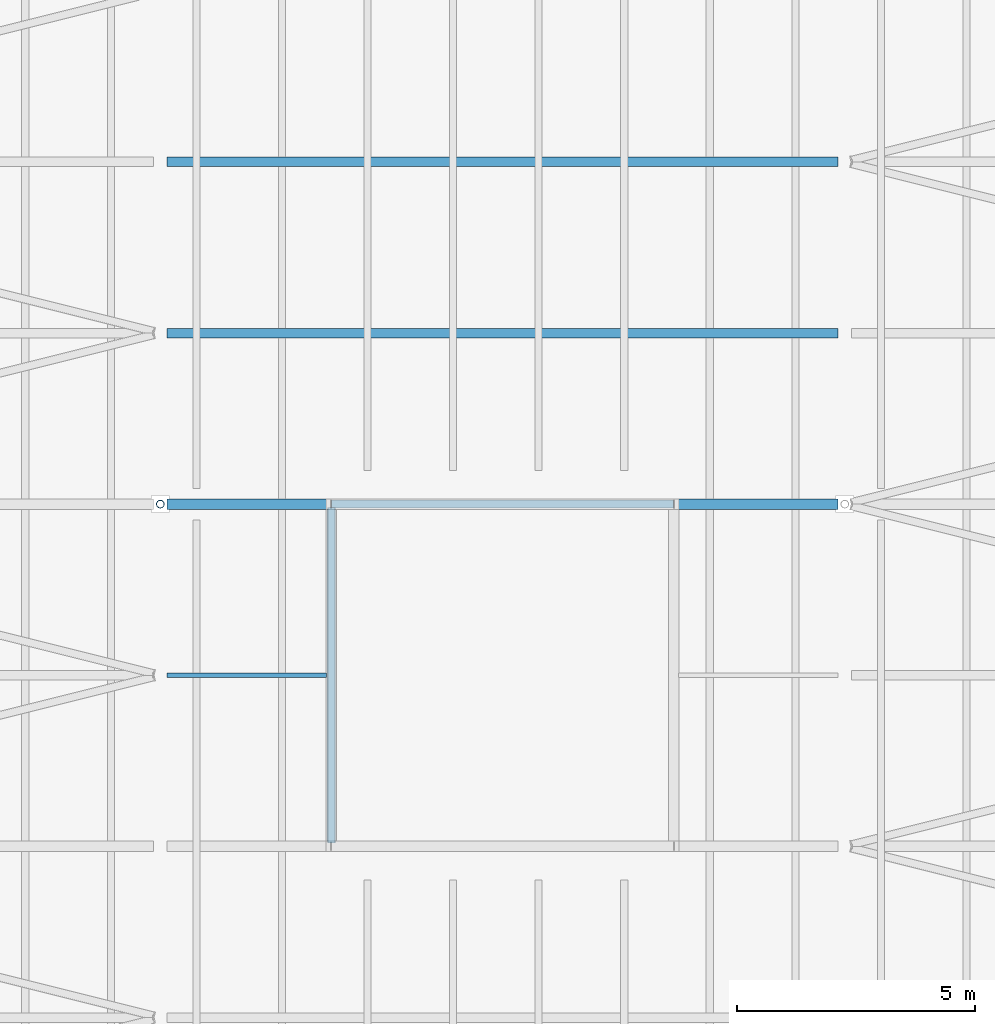
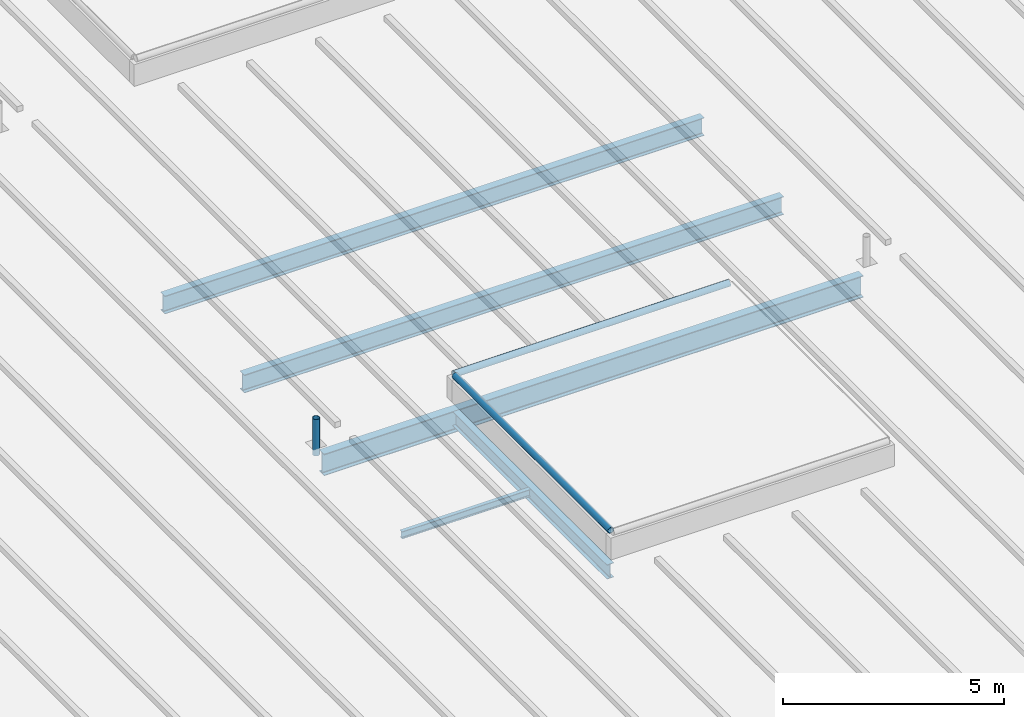
# One storey, part 18 of 120: 5 beams, 3 members.
"""IFC4 building model written with IfcOpenShell, lengths in metres."""

import ifcopenshell
import ifcopenshell.guid

model = None  # the IFC model being written
_history = None  # IfcOwnerHistory: only IFC2X3 demands one
_inside = {}  # id of a spatial element -> (the spatial element, [elements in it])
_under = {}  # id of a project, library or spatial element -> (it, [spatial elements below it])
_declared = {}  # id of a project -> (the project, [libraries it declares])
_typed = {}  # id of a type object -> (the type object, [elements of that type])
_made_of = {}  # id of a material, layer set ... -> (it, [elements and type objects made of it])


def new_model(schema):
    """Start an empty IFC model of exactly this schema.

    Asked for "IFC4X3", IfcOpenShell would pick the latest addendum, in which some entities
    have other attributes; the version numbers below select the first issue.
    IFC2X3 requires an IfcOwnerHistory on every rooted entity: one is made here for all.
    """
    global model, _history
    if schema == "IFC4X3":
        model = ifcopenshell.file(schema_version=(4, 3, 0, 0))
    else:
        model = ifcopenshell.file(schema=schema)
    _inside.clear()
    _under.clear()
    _declared.clear()
    _typed.clear()
    _made_of.clear()
    _history = None
    if model.schema == "IFC2X3":
        org = make("IfcOrganization", Name="unknown")
        user = make(
            "IfcPersonAndOrganization",
            ThePerson=make("IfcPerson", FamilyName="unknown"),
            TheOrganization=org,
        )
        app = make(
            "IfcApplication",
            ApplicationDeveloper=org,
            Version="unknown",
            ApplicationFullName="unknown",
            ApplicationIdentifier="unknown",
        )
        _history = make(
            "IfcOwnerHistory",
            OwningUser=user,
            OwningApplication=app,
            ChangeAction="ADDED",
            CreationDate=0,
        )
    return model


def make(cls, **values):
    """One entity of the class cls with the attributes given. An attribute that is None is left unset."""
    return model.create_entity(
        cls, **{name: value for name, value in values.items() if value is not None}
    )


def rooted(cls, **values):
    """An entity with a GlobalId (a new one), such as an element, a storey or a relation."""
    return make(cls, GlobalId=ifcopenshell.guid.new(), OwnerHistory=_history, **values)


def si_unit(unit_type, name, prefix=None):
    """IfcSIUnit, for example si_unit("LENGTHUNIT", "METRE", prefix="MILLI")."""
    return make("IfcSIUnit", UnitType=unit_type, Prefix=prefix, Name=name)


def assignment(units):
    """IfcUnitAssignment: the units of a project."""
    return None if units is None else make("IfcUnitAssignment", Units=units)


def point(xyz):
    """IfcCartesianPoint."""
    return None if xyz is None else make("IfcCartesianPoint", Coordinates=xyz)


def direction(xyz):
    """IfcDirection."""
    return None if xyz is None else make("IfcDirection", DirectionRatios=xyz)


def frame(location, z_axis=None, x_axis=None):
    """IfcAxis2Placement3D, a coordinate frame: its origin and axes. An axis left out is left unset."""
    return make(
        "IfcAxis2Placement3D",
        Location=point(location),
        Axis=direction(z_axis),
        RefDirection=direction(x_axis),
    )


def frame_2d(location, x_axis=None):
    """IfcAxis2Placement2D, a coordinate frame in the plane: its origin and x axis."""
    return make(
        "IfcAxis2Placement2D", Location=point(location), RefDirection=direction(x_axis)
    )


def origin():
    """The frame at (0, 0, 0) with its axes left unset."""
    return frame((0.0, 0.0, 0.0))


def origin_2d():
    """The frame at (0, 0) in the plane with its x axis left unset."""
    return frame_2d((0.0, 0.0))


def place(relative_to, where):
    """IfcLocalPlacement: puts the frame where relative to a parent placement (None: the world)."""
    return make(
        "IfcLocalPlacement", PlacementRelTo=relative_to, RelativePlacement=where
    )


def context(
    kind, dimensions, precision=None, world=None, true_north=None, identifier=None
):
    """IfcGeometricRepresentationContext, for example the 3D "Model" context."""
    return make(
        "IfcGeometricRepresentationContext",
        ContextIdentifier=identifier,
        ContextType=kind,
        CoordinateSpaceDimension=dimensions,
        Precision=precision,
        WorldCoordinateSystem=world,
        TrueNorth=true_north,
    )


def subcontext(parent, identifier, kind, view, scale=None):
    """IfcGeometricRepresentationSubContext, for example "Body" below "Model"."""
    return make(
        "IfcGeometricRepresentationSubContext",
        ContextIdentifier=identifier,
        ContextType=kind,
        ParentContext=parent,
        TargetScale=scale,
        TargetView=view,
    )


def project(units=None, contexts=None):
    """IfcProject with its units and contexts."""
    return rooted(
        "IfcProject",
        Name="project",
        RepresentationContexts=contexts,
        UnitsInContext=assignment(units),
    )


def spatial(cls, under=None, at=None, **own):
    """A site, building, storey or space (cls), placed at a placement, below another one or the project."""
    s = rooted(cls, ObjectPlacement=at, **own)
    if under is not None:
        _under.setdefault(under.id(), (under, []))[1].append(s)
    return s


def profile(cls, at=None, kind="AREA", **sizes):
    """A parametric profile (cls). Its sizes go by their IFC names, for example OverallWidth=200.0."""
    return make(cls, ProfileType=kind, Position=at, **sizes)


def hollow_circle(**sizes):
    """IfcCircleHollowProfileDef."""
    return profile("IfcCircleHollowProfileDef", **sizes)


def i_section(**sizes):
    """IfcIShapeProfileDef."""
    return profile("IfcIShapeProfileDef", **sizes)


def extrude(swept, where, along, depth):
    """IfcExtrudedAreaSolid: the profile swept, set in the frame where, extruded along a direction by depth."""
    return make(
        "IfcExtrudedAreaSolid",
        SweptArea=swept,
        Position=where,
        ExtrudedDirection=direction(along),
        Depth=depth,
    )


def shape(context_of_items, identifier, shape_type, items):
    """IfcShapeRepresentation: the items that make up one representation, for example the "Body"."""
    return make(
        "IfcShapeRepresentation",
        ContextOfItems=context_of_items,
        RepresentationIdentifier=identifier,
        RepresentationType=shape_type,
        Items=items,
    )


def material(Name=None, Category=None):
    """IfcMaterial."""
    return make("IfcMaterial", Name=Name, Category=Category)


def material_profile(
    of_material, cross_section, Name=None, Category=None, Priority=None
):
    """IfcMaterialProfile: a cross section and its material."""
    return make(
        "IfcMaterialProfile",
        Name=Name,
        Material=of_material,
        Profile=cross_section,
        Priority=Priority,
        Category=Category,
    )


def profile_set(profiles, Name=None, composite=None):
    """IfcMaterialProfileSet."""
    return make(
        "IfcMaterialProfileSet",
        Name=Name,
        MaterialProfiles=profiles,
        CompositeProfile=composite,
    )


def made_of(thing, what):
    """Note that an element or type object is made of a material, layer set ...; save() writes the relation."""
    if what is not None:
        _made_of.setdefault(what.id(), (what, []))[1].append(thing)
    return thing


def type_object(cls, material=None, **own):
    """A type object (cls), such as IfcWallType, which elements share."""
    return made_of(rooted(cls, **own), material)


def element(
    cls,
    number,
    at=None,
    inside=None,
    cuts=None,
    type_object=None,
    material=None,
    context=None,
    identifier="Body",
    shape_type=None,
    held_by="IfcProductDefinitionShape",
    body=None,
    shapes=None,
    **own,
):
    """One element of the class cls, such as IfcWall. Its Tag is "e" and its number.

    at: its placement. inside: the storey or other place that contains it. cuts: it is an
    opening in that element (IfcRelVoidsElement). A single representation is given by context,
    identifier, shape_type and body (its items); several are given by shapes. held_by: the class
    of the entity that holds the representations. save() writes the other relations.
    """
    e = rooted(cls, Tag="e%d" % number, ObjectPlacement=at, **own)
    if body is not None:
        shapes = [shape(context, identifier, shape_type, body)]
    if shapes is not None:
        e.Representation = make(held_by, Representations=shapes)
    if inside is not None:
        _inside.setdefault(inside.id(), (inside, []))[1].append(e)
    if cuts is not None:
        rooted(
            "IfcRelVoidsElement", RelatingBuildingElement=cuts, RelatedOpeningElement=e
        )
    if type_object is not None:
        _typed.setdefault(type_object.id(), (type_object, []))[1].append(e)
    return made_of(e, material)


def aggregate(whole, parts):
    """IfcRelAggregates: a whole, such as a stair, and the parts it consists of."""
    return rooted("IfcRelAggregates", RelatingObject=whole, RelatedObjects=parts)


def save(model, path):
    """Write the relations noted so far, then the file.

    IfcRelAggregates (storeys below a building ...), IfcRelContainedInSpatialStructure (elements
    in a storey), IfcRelDefinesByType, IfcRelAssociatesMaterial and IfcRelDeclares: one each for
    every whole, place, type object, material and project.
    """
    for whole, parts in _under.values():
        aggregate(whole, parts)
    for where, things in _inside.values():
        rooted(
            "IfcRelContainedInSpatialStructure",
            RelatedElements=things,
            RelatingStructure=where,
        )
    for kind, things in _typed.values():
        rooted("IfcRelDefinesByType", RelatedObjects=things, RelatingType=kind)
    for what, things in _made_of.values():
        rooted("IfcRelAssociatesMaterial", RelatedObjects=things, RelatingMaterial=what)
    for by, libraries in _declared.values():
        rooted("IfcRelDeclares", RelatingContext=by, RelatedDefinitions=libraries)
    model.write(path)


model = new_model("IFC4")

# Units and contexts
model_context = context("Model", 3, precision=1e-05, world=origin(), true_north=direction((0.0, 1.0)))
body_context = subcontext(model_context, "Body", "Model", "MODEL_VIEW")
ifc_project = project(units=[si_unit("LENGTHUNIT", "METRE"), si_unit("AREAUNIT", "SQUARE_METRE"), si_unit("VOLUMEUNIT", "CUBIC_METRE"), si_unit("PLANEANGLEUNIT", "RADIAN"), si_unit("MASSUNIT", "GRAM", prefix="KILO")], contexts=[model_context])

# Site, building, storey
site_placement = place(None, origin())
site = spatial("IfcSite", under=ifc_project, at=site_placement, CompositionType="ELEMENT")
building_placement = place(site_placement, origin())
building = spatial("IfcBuilding", under=site, at=building_placement, Name="Kupolbacken Congress Centre", CompositionType="ELEMENT")
storey_placement = place(building_placement, frame((0.0, 0.0, 21.60009765625)))
storey = spatial("IfcBuildingStorey", under=building, at=storey_placement, Name="L06", CompositionType="ELEMENT", Elevation=21.60009765625)

# Beams
ifc_material_1 = material(Name="Steel S355", Category="steel")
ifc_material_profile_1 = material_profile(ifc_material_1, i_section(OverallWidth=0.10009765625, OverallDepth=0.199951171875, WebThickness=0.005615234375, FlangeThickness=0.008544921875, FilletRadius=0.011962890625, at=origin_2d()), Name="IPE 200")
ifc_profile_set_1 = profile_set([ifc_material_profile_1], Name="Steel S355")
beam_type_1 = type_object("IfcBeamType", Name="B01 beam IPE 200", PredefinedType="BEAM", material=ifc_profile_set_1)
beam_1_placement = place(storey_placement, frame((136.945068359375, 57.60009765625, -0.10009765625), z_axis=(1.0, 0.0, 0.0), x_axis=(0.0, 1.0, 0.0)))
element("IfcBeam", 1, at=beam_1_placement, inside=storey, type_object=beam_type_1, Name="HR/P04-04-0", PredefinedType="BEAM", context=body_context, shape_type="SweptSolid", body=[
    extrude(i_section(OverallWidth=0.10009765625, OverallDepth=0.199951171875, WebThickness=0.005615234375, FlangeThickness=0.008544921875, FilletRadius=0.011962890625, at=origin_2d()), origin(), (0.0, 0.0, 1.0), 3.35498046875),
])
ifc_material_2 = material(Name="Steel S355", Category="steel")
ifc_material_profile_2 = material_profile(ifc_material_2, i_section(OverallWidth=0.179931640625, OverallDepth=0.39990234375, WebThickness=0.008544921875, FlangeThickness=0.013427734375, FilletRadius=0.02099609375, at=origin_2d()), Name="IPE 400")
ifc_profile_set_2 = profile_set([ifc_material_profile_2], Name="Steel S355")
beam_type_2 = type_object("IfcBeamType", Name="B07 beam IPE 400", PredefinedType="BEAM", material=ifc_profile_set_2)
beam_2_placement = place(storey_placement, frame((140.39990234375, 54.10009765625, -0.2001953125), z_axis=(0.0, 1.0, 0.0), x_axis=(-1.0, 0.0, 0.0)))
element("IfcBeam", 2, at=beam_2_placement, inside=storey, type_object=beam_type_2, Name="HR/CT4W", PredefinedType="BEAM", context=body_context, shape_type="SweptSolid", body=[
    extrude(i_section(OverallWidth=0.179931640625, OverallDepth=0.39990234375, WebThickness=0.008544921875, FlangeThickness=0.013427734375, FilletRadius=0.02099609375, at=origin_2d()), origin(), (0.0, 0.0, 1.0), 7.0),
])
ifc_material_3 = material(Name="Steel S355", Category="steel")
ifc_material_profile_3 = material_profile(ifc_material_3, i_section(OverallWidth=0.199951171875, OverallDepth=0.5, WebThickness=0.01025390625, FlangeThickness=0.01611328125, FilletRadius=0.02099609375, at=origin_2d()), Name="IPE 500")
ifc_profile_set_3 = profile_set([ifc_material_profile_3], Name="Steel S355")
beam_type_3 = type_object("IfcBeamType", Name="B09 beam IPE 500", PredefinedType="BEAM", material=ifc_profile_set_3)
for number, where, z_axis, x_axis, name in (
    (3, (136.945068359375, 64.800048828125, -0.25), (1.0, 0.0, 0.0), (0.0, 1.0, 0.0), "HR/P06-04"),
    (4, (136.945068359375, 68.39990234375, -0.25), (1.0, 0.0, 0.0), (0.0, 1.0, 0.0), "HR/P07-04"),
):
    element("IfcBeam", number, at=place(storey_placement, frame(where, z_axis=z_axis, x_axis=x_axis)), inside=storey, type_object=beam_type_3, Name=name, PredefinedType="BEAM", context=body_context, shape_type="SweptSolid", body=[
        extrude(i_section(OverallWidth=0.199951171875, OverallDepth=0.5, WebThickness=0.01025390625, FlangeThickness=0.01611328125, FilletRadius=0.02099609375, at=origin_2d()), origin(), (0.0, 0.0, 1.0), 14.10986328125),
    ])
ifc_material_4 = material(Name="Steel S355", Category="steel")
ifc_material_profile_4 = material_profile(ifc_material_4, i_section(OverallWidth=0.219970703125, OverallDepth=0.60009765625, WebThickness=0.011962890625, FlangeThickness=0.01904296875, FilletRadius=0.02392578125, at=origin_2d()), Name="IPE 600")
ifc_profile_set_4 = profile_set([ifc_material_profile_4], Name="Steel S355")
beam_type_4 = type_object("IfcBeamType", Name="B11 beam IPE 600", PredefinedType="BEAM", material=ifc_profile_set_4)
beam_3_placement = place(storey_placement, frame((136.945068359375, 61.199951171875, -0.300048828125), z_axis=(1.0, 0.0, 0.0), x_axis=(0.0, 1.0, 0.0)))
element("IfcBeam", 5, at=beam_3_placement, inside=storey, type_object=beam_type_4, Name="HR/X05-04", PredefinedType="BEAM", context=body_context, shape_type="SweptSolid", body=[
    extrude(i_section(OverallWidth=0.219970703125, OverallDepth=0.60009765625, WebThickness=0.011962890625, FlangeThickness=0.01904296875, FilletRadius=0.02392578125, at=origin_2d()), origin(), (0.0, 0.0, 1.0), 14.10986328125),
])

# Members
ifc_material_5 = material(Name="Steel S355", Category="steel")
ifc_material_profile_5 = material_profile(ifc_material_5, hollow_circle(Radius=0.084228515625, WallThickness=0.008056640625, at=origin_2d()), Name="CHS 168.3 x 8")
ifc_profile_set_5 = profile_set([ifc_material_profile_5], Name="Steel S355")
member_type_1 = type_object("IfcMemberType", Name="M20 transfer truss post CHS 168.3 x 8", PredefinedType="STRUT", material=ifc_profile_set_5)
member_1_placement = place(storey_placement, frame((136.800048828125, 61.199951171875, -0.010009765625), z_axis=(0.0, 0.0, 1.0), x_axis=(1.0, 0.0, 0.0)))
element("IfcMember", 6, at=member_1_placement, inside=storey, type_object=member_type_1, Name="Roof stay anchor post M4S.1", PredefinedType="STRUT", context=body_context, shape_type="SweptSolid", body=[
    extrude(hollow_circle(Radius=0.084228515625, WallThickness=0.008056640625, at=origin_2d()), origin(), (0.0, 0.0, 1.0), 1.010009765625),
])
ifc_material_6 = material(Name="Steel S355", Category="steel")
ifc_material_profile_6 = material_profile(ifc_material_6, hollow_circle(Radius=0.084228515625, WallThickness=0.008056640625, at=origin_2d()), Name="CHS 168.3 x 8")
ifc_profile_set_6 = profile_set([ifc_material_profile_6], Name="Steel S355")
member_type_2 = type_object("IfcMemberType", Name="M21 brace CHS 168.3 x 8", PredefinedType="BRACE", material=ifc_profile_set_6)
member_2_placement = place(storey_placement, frame((140.39990234375, 61.199951171875, 0.944091796875), z_axis=(1.0, 0.0, 0.0), x_axis=(0.0, 1.0, 0.0)))
element("IfcMember", 7, at=member_2_placement, inside=storey, type_object=member_type_2, Name="RD/RL4/FN", PredefinedType="BRACE", context=body_context, shape_type="SweptSolid", body=[
    extrude(hollow_circle(Radius=0.084228515625, WallThickness=0.008056640625, at=origin_2d()), origin(), (0.0, 0.0, 1.0), 7.2001953125),
])
member_3_placement = place(storey_placement, frame((140.39990234375, 54.07421875, 0.944091796875), z_axis=(0.0, 1.0, 0.0), x_axis=(-1.0, 0.0, 0.0)))
element("IfcMember", 8, at=member_3_placement, inside=storey, type_object=member_type_2, Name="RD/RL4/FW", PredefinedType="BRACE", context=body_context, shape_type="SweptSolid", body=[
    extrude(hollow_circle(Radius=0.084228515625, WallThickness=0.008056640625, at=origin_2d()), origin(), (0.0, 0.0, 1.0), 7.051513671875),
])

save(model, "model.ifc")
